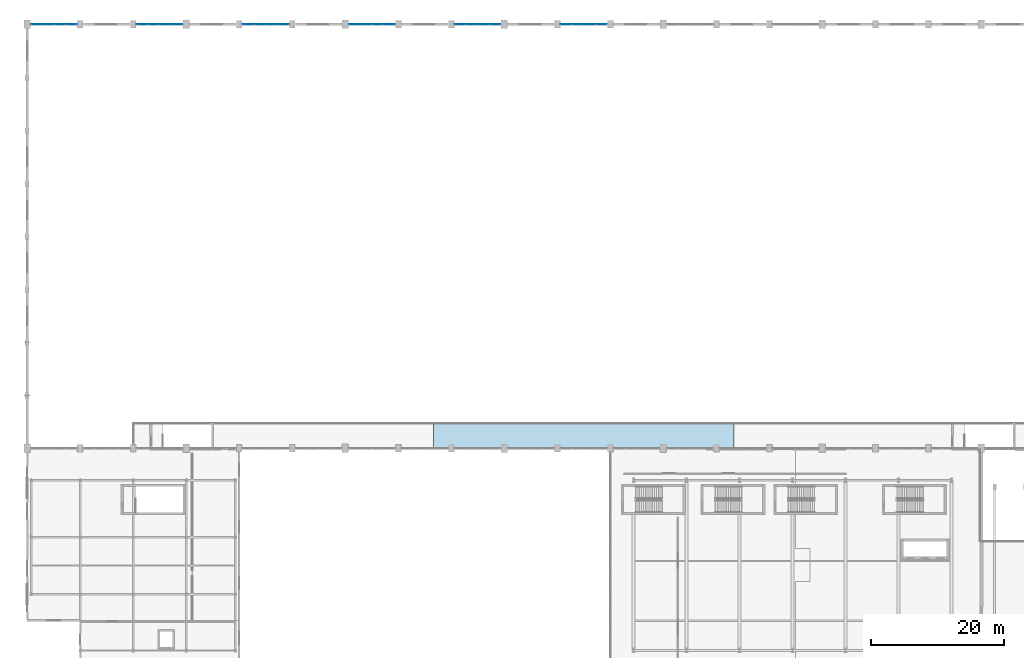
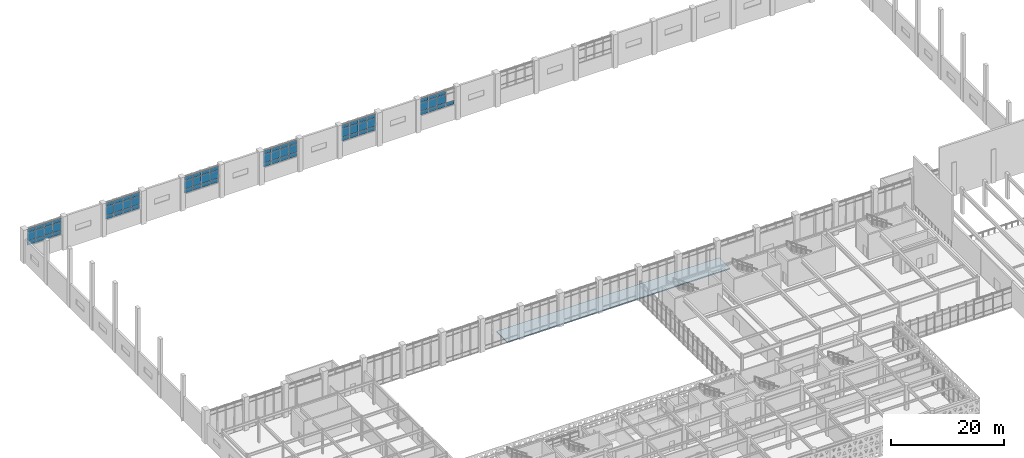
# One storey, part 55 of 84: 70 plates, 1 slab, 6 elements without a shape of their own.
"""IFC4 building model written with IfcOpenShell, lengths in metres."""

from ifc_helpers import new_model, si_unit, direction, frame, origin, origin_2d, place, context, subcontext, project, spatial, polyline, rectangle, outline, extrude, material, layer, layer_set, type_object, element, aggregate, save


model = new_model("IFC4")

# Units and contexts
model_context = context("Model", 3, precision=1e-05, world=origin(), true_north=direction((0.0, 1.0)))
body_context = subcontext(model_context, "Body", "Model", "MODEL_VIEW")
ifc_project = project(units=[si_unit("LENGTHUNIT", "METRE"), si_unit("AREAUNIT", "SQUARE_METRE"), si_unit("VOLUMEUNIT", "CUBIC_METRE"), si_unit("PLANEANGLEUNIT", "RADIAN"), si_unit("MASSUNIT", "GRAM", prefix="KILO")], contexts=[model_context])

# Site, building, storey
site_placement = place(None, origin())
site = spatial("IfcSite", under=ifc_project, at=site_placement, CompositionType="ELEMENT")
building_placement = place(site_placement, origin())
building = spatial("IfcBuilding", under=site, at=building_placement, Name="Tlacozan Convention Centre", CompositionType="ELEMENT")
storey_placement = place(building_placement, frame((0.0, 0.0, 6.0)))
storey = spatial("IfcBuildingStorey", under=building, at=storey_placement, Name="L01", CompositionType="ELEMENT", Elevation=6.0)

# Curtain wall, plates
ifc_material_1 = material(Name="Dark Bronze Anodised Aluminium", Category="aluminium")
ifc_layer_1 = layer(ifc_material_1, 0.199951171875)
ifc_layer_set_1 = layer_set([ifc_layer_1], Name="Dark Bronze Anodised Aluminium")
curtain_wall_type = type_object("IfcCurtainWallType", Name="Exhibition Clerestory Curtain Wall CW10", PredefinedType="NOTDEFINED", material=ifc_layer_set_1)
curtain_wall_1_placement = place(storey_placement, origin())
curtain_wall_1 = element("IfcCurtainWall", 1, at=curtain_wall_1_placement, inside=storey, type_object=curtain_wall_type, Name="L01 CW-10 Run 1", PredefinedType="NOTDEFINED")
ifc_material_2 = material(Name="Solar Control Double Low-E Argon Glazing", Category="glass")
ifc_layer_2 = layer(ifc_material_2, 0.050048828125)
ifc_layer_set_2 = layer_set([ifc_layer_2], Name="Solar Control Double Low-E Argon Glazing")
plate_type = type_object("IfcPlateType", Name="Clerestory Solar CW Panel 50", PredefinedType="CURTAIN_PANEL", material=ifc_layer_set_2)
plate_1_placement = place(storey_placement, frame((1.4111328125, 126.0, 3.27490234375), z_axis=(0.0, 0.0, 1.0), x_axis=(1.0, 0.0, 0.0)))
plate_1 = element("IfcPlate", 2, at=plate_1_placement, type_object=plate_type, Name="CW-10 panel 1.1", PredefinedType="CURTAIN_PANEL", context=body_context, shape_type="SweptSolid", body=[
    extrude(rectangle(XDim=1.642578125, YDim=0.050048828125, at=origin_2d()), origin(), (0.0, 0.0, 1.0), 0.78759765625),
])
plate_2_placement = place(storey_placement, frame((1.4111328125, 126.0, 4.137451171875), z_axis=(0.0, 0.0, 1.0), x_axis=(1.0, 0.0, 0.0)))
plate_2 = element("IfcPlate", 3, at=plate_2_placement, type_object=plate_type, Name="CW-10 panel 1.2", PredefinedType="CURTAIN_PANEL", context=body_context, shape_type="SweptSolid", body=[
    extrude(rectangle(XDim=1.642578125, YDim=0.050048828125, at=origin_2d()), origin(), (0.0, 0.0, 1.0), 1.77490234375),
])
plate_3_placement = place(storey_placement, frame((1.4111328125, 126.0, 5.9873046875), z_axis=(0.0, 0.0, 1.0), x_axis=(1.0, 0.0, 0.0)))
plate_3 = element("IfcPlate", 4, at=plate_3_placement, type_object=plate_type, Name="CW-10 panel 1.3", PredefinedType="CURTAIN_PANEL", context=body_context, shape_type="SweptSolid", body=[
    extrude(rectangle(XDim=1.642578125, YDim=0.050048828125, at=origin_2d()), origin(), (0.0, 0.0, 1.0), 0.737548828125),
])
plate_4_placement = place(storey_placement, frame((3.1474609375, 126.0, 3.27490234375), z_axis=(0.0, 0.0, 1.0), x_axis=(1.0, 0.0, 0.0)))
plate_4 = element("IfcPlate", 5, at=plate_4_placement, type_object=plate_type, Name="CW-10 panel 2.1", PredefinedType="CURTAIN_PANEL", context=body_context, shape_type="SweptSolid", body=[
    extrude(rectangle(XDim=1.679931640625, YDim=0.050048828125, at=origin_2d()), origin(), (0.0, 0.0, 1.0), 0.78759765625),
])
plate_5_placement = place(storey_placement, frame((3.1474609375, 126.0, 4.137451171875), z_axis=(0.0, 0.0, 1.0), x_axis=(1.0, 0.0, 0.0)))
plate_5 = element("IfcPlate", 6, at=plate_5_placement, type_object=plate_type, Name="CW-10 panel 2.2", PredefinedType="CURTAIN_PANEL", context=body_context, shape_type="SweptSolid", body=[
    extrude(rectangle(XDim=1.679931640625, YDim=0.050048828125, at=origin_2d()), origin(), (0.0, 0.0, 1.0), 1.77490234375),
])
plate_6_placement = place(storey_placement, frame((3.1474609375, 126.0, 5.9873046875), z_axis=(0.0, 0.0, 1.0), x_axis=(1.0, 0.0, 0.0)))
plate_6 = element("IfcPlate", 7, at=plate_6_placement, type_object=plate_type, Name="CW-10 panel 2.3", PredefinedType="CURTAIN_PANEL", context=body_context, shape_type="SweptSolid", body=[
    extrude(rectangle(XDim=1.679931640625, YDim=0.050048828125, at=origin_2d()), origin(), (0.0, 0.0, 1.0), 0.737548828125),
])
plate_7_placement = place(storey_placement, frame((4.902587890625, 126.0, 3.27490234375), z_axis=(0.0, 0.0, 1.0), x_axis=(1.0, 0.0, 0.0)))
plate_7 = element("IfcPlate", 8, at=plate_7_placement, type_object=plate_type, Name="CW-10 panel 3.1", PredefinedType="CURTAIN_PANEL", context=body_context, shape_type="SweptSolid", body=[
    extrude(rectangle(XDim=1.679931640625, YDim=0.050048828125, at=origin_2d()), origin(), (0.0, 0.0, 1.0), 0.78759765625),
])
plate_8_placement = place(storey_placement, frame((4.902587890625, 126.0, 4.137451171875), z_axis=(0.0, 0.0, 1.0), x_axis=(1.0, 0.0, 0.0)))
plate_8 = element("IfcPlate", 9, at=plate_8_placement, type_object=plate_type, Name="CW-10 panel 3.2", PredefinedType="CURTAIN_PANEL", context=body_context, shape_type="SweptSolid", body=[
    extrude(rectangle(XDim=1.679931640625, YDim=0.050048828125, at=origin_2d()), origin(), (0.0, 0.0, 1.0), 1.77490234375),
])
plate_9_placement = place(storey_placement, frame((4.902587890625, 126.0, 5.9873046875), z_axis=(0.0, 0.0, 1.0), x_axis=(1.0, 0.0, 0.0)))
plate_9 = element("IfcPlate", 10, at=plate_9_placement, type_object=plate_type, Name="CW-10 panel 3.3", PredefinedType="CURTAIN_PANEL", context=body_context, shape_type="SweptSolid", body=[
    extrude(rectangle(XDim=1.679931640625, YDim=0.050048828125, at=origin_2d()), origin(), (0.0, 0.0, 1.0), 0.737548828125),
])
plate_10_placement = place(storey_placement, frame((6.638671875, 126.0, 3.27490234375), z_axis=(0.0, 0.0, 1.0), x_axis=(1.0, 0.0, 0.0)))
plate_10 = element("IfcPlate", 11, at=plate_10_placement, type_object=plate_type, Name="CW-10 panel 4.1", PredefinedType="CURTAIN_PANEL", context=body_context, shape_type="SweptSolid", body=[
    extrude(rectangle(XDim=1.642578125, YDim=0.050048828125, at=origin_2d()), origin(), (0.0, 0.0, 1.0), 0.78759765625),
])
plate_11_placement = place(storey_placement, frame((6.638671875, 126.0, 4.137451171875), z_axis=(0.0, 0.0, 1.0), x_axis=(1.0, 0.0, 0.0)))
plate_11 = element("IfcPlate", 12, at=plate_11_placement, type_object=plate_type, Name="CW-10 panel 4.2", PredefinedType="CURTAIN_PANEL", context=body_context, shape_type="SweptSolid", body=[
    extrude(rectangle(XDim=1.642578125, YDim=0.050048828125, at=origin_2d()), origin(), (0.0, 0.0, 1.0), 1.77490234375),
])
plate_12_placement = place(storey_placement, frame((6.638671875, 126.0, 5.9873046875), z_axis=(0.0, 0.0, 1.0), x_axis=(1.0, 0.0, 0.0)))
plate_12 = element("IfcPlate", 13, at=plate_12_placement, type_object=plate_type, Name="CW-10 panel 4.3", PredefinedType="CURTAIN_PANEL", context=body_context, shape_type="SweptSolid", body=[
    extrude(rectangle(XDim=1.642578125, YDim=0.050048828125, at=origin_2d()), origin(), (0.0, 0.0, 1.0), 0.737548828125),
])
aggregate(curtain_wall_1, [plate_1, plate_2, plate_3, plate_4, plate_5, plate_6, plate_7, plate_8, plate_9, plate_10, plate_11, plate_12])

curtain_wall_2_placement = place(storey_placement, origin())
curtain_wall_2 = element("IfcCurtainWall", 14, at=curtain_wall_2_placement, inside=storey, type_object=curtain_wall_type, Name="L01 CW-10 Run 2", PredefinedType="NOTDEFINED")
plate_13_placement = place(storey_placement, frame((17.361328125, 126.0, 3.27490234375), z_axis=(0.0, 0.0, 1.0), x_axis=(1.0, 0.0, 0.0)))
plate_13 = element("IfcPlate", 15, at=plate_13_placement, type_object=plate_type, Name="CW-10 panel 1.1", PredefinedType="CURTAIN_PANEL", context=body_context, shape_type="SweptSolid", body=[
    extrude(rectangle(XDim=1.642578125, YDim=0.050048828125, at=origin_2d()), origin(), (0.0, 0.0, 1.0), 0.78759765625),
])
plate_14_placement = place(storey_placement, frame((17.361328125, 126.0, 4.137451171875), z_axis=(0.0, 0.0, 1.0), x_axis=(1.0, 0.0, 0.0)))
plate_14 = element("IfcPlate", 16, at=plate_14_placement, type_object=plate_type, Name="CW-10 panel 1.2", PredefinedType="CURTAIN_PANEL", context=body_context, shape_type="SweptSolid", body=[
    extrude(rectangle(XDim=1.642578125, YDim=0.050048828125, at=origin_2d()), origin(), (0.0, 0.0, 1.0), 1.77490234375),
])
plate_15_placement = place(storey_placement, frame((17.361328125, 126.0, 5.9873046875), z_axis=(0.0, 0.0, 1.0), x_axis=(1.0, 0.0, 0.0)))
plate_15 = element("IfcPlate", 17, at=plate_15_placement, type_object=plate_type, Name="CW-10 panel 1.3", PredefinedType="CURTAIN_PANEL", context=body_context, shape_type="SweptSolid", body=[
    extrude(rectangle(XDim=1.642578125, YDim=0.050048828125, at=origin_2d()), origin(), (0.0, 0.0, 1.0), 0.737548828125),
])
plate_16_placement = place(storey_placement, frame((19.097412109375, 126.0, 3.27490234375), z_axis=(0.0, 0.0, 1.0), x_axis=(1.0, 0.0, 0.0)))
plate_16 = element("IfcPlate", 18, at=plate_16_placement, type_object=plate_type, Name="CW-10 panel 2.1", PredefinedType="CURTAIN_PANEL", context=body_context, shape_type="SweptSolid", body=[
    extrude(rectangle(XDim=1.679931640625, YDim=0.050048828125, at=origin_2d()), origin(), (0.0, 0.0, 1.0), 0.78759765625),
])
plate_17_placement = place(storey_placement, frame((19.097412109375, 126.0, 4.137451171875), z_axis=(0.0, 0.0, 1.0), x_axis=(1.0, 0.0, 0.0)))
plate_17 = element("IfcPlate", 19, at=plate_17_placement, type_object=plate_type, Name="CW-10 panel 2.2", PredefinedType="CURTAIN_PANEL", context=body_context, shape_type="SweptSolid", body=[
    extrude(rectangle(XDim=1.679931640625, YDim=0.050048828125, at=origin_2d()), origin(), (0.0, 0.0, 1.0), 1.77490234375),
])
plate_18_placement = place(storey_placement, frame((19.097412109375, 126.0, 5.9873046875), z_axis=(0.0, 0.0, 1.0), x_axis=(1.0, 0.0, 0.0)))
plate_18 = element("IfcPlate", 20, at=plate_18_placement, type_object=plate_type, Name="CW-10 panel 2.3", PredefinedType="CURTAIN_PANEL", context=body_context, shape_type="SweptSolid", body=[
    extrude(rectangle(XDim=1.679931640625, YDim=0.050048828125, at=origin_2d()), origin(), (0.0, 0.0, 1.0), 0.737548828125),
])
plate_19_placement = place(storey_placement, frame((20.8525390625, 126.0, 3.27490234375), z_axis=(0.0, 0.0, 1.0), x_axis=(1.0, 0.0, 0.0)))
plate_19 = element("IfcPlate", 21, at=plate_19_placement, type_object=plate_type, Name="CW-10 panel 3.1", PredefinedType="CURTAIN_PANEL", context=body_context, shape_type="SweptSolid", body=[
    extrude(rectangle(XDim=1.679931640625, YDim=0.050048828125, at=origin_2d()), origin(), (0.0, 0.0, 1.0), 0.78759765625),
])
plate_20_placement = place(storey_placement, frame((20.8525390625, 126.0, 4.137451171875), z_axis=(0.0, 0.0, 1.0), x_axis=(1.0, 0.0, 0.0)))
plate_20 = element("IfcPlate", 22, at=plate_20_placement, type_object=plate_type, Name="CW-10 panel 3.2", PredefinedType="CURTAIN_PANEL", context=body_context, shape_type="SweptSolid", body=[
    extrude(rectangle(XDim=1.679931640625, YDim=0.050048828125, at=origin_2d()), origin(), (0.0, 0.0, 1.0), 1.77490234375),
])
plate_21_placement = place(storey_placement, frame((20.8525390625, 126.0, 5.9873046875), z_axis=(0.0, 0.0, 1.0), x_axis=(1.0, 0.0, 0.0)))
plate_21 = element("IfcPlate", 23, at=plate_21_placement, type_object=plate_type, Name="CW-10 panel 3.3", PredefinedType="CURTAIN_PANEL", context=body_context, shape_type="SweptSolid", body=[
    extrude(rectangle(XDim=1.679931640625, YDim=0.050048828125, at=origin_2d()), origin(), (0.0, 0.0, 1.0), 0.737548828125),
])
plate_22_placement = place(storey_placement, frame((22.5888671875, 126.0, 3.27490234375), z_axis=(0.0, 0.0, 1.0), x_axis=(1.0, 0.0, 0.0)))
plate_22 = element("IfcPlate", 24, at=plate_22_placement, type_object=plate_type, Name="CW-10 panel 4.1", PredefinedType="CURTAIN_PANEL", context=body_context, shape_type="SweptSolid", body=[
    extrude(rectangle(XDim=1.642578125, YDim=0.050048828125, at=origin_2d()), origin(), (0.0, 0.0, 1.0), 0.78759765625),
])
plate_23_placement = place(storey_placement, frame((22.5888671875, 126.0, 4.137451171875), z_axis=(0.0, 0.0, 1.0), x_axis=(1.0, 0.0, 0.0)))
plate_23 = element("IfcPlate", 25, at=plate_23_placement, type_object=plate_type, Name="CW-10 panel 4.2", PredefinedType="CURTAIN_PANEL", context=body_context, shape_type="SweptSolid", body=[
    extrude(rectangle(XDim=1.642578125, YDim=0.050048828125, at=origin_2d()), origin(), (0.0, 0.0, 1.0), 1.77490234375),
])
plate_24_placement = place(storey_placement, frame((22.5888671875, 126.0, 5.9873046875), z_axis=(0.0, 0.0, 1.0), x_axis=(1.0, 0.0, 0.0)))
plate_24 = element("IfcPlate", 26, at=plate_24_placement, type_object=plate_type, Name="CW-10 panel 4.3", PredefinedType="CURTAIN_PANEL", context=body_context, shape_type="SweptSolid", body=[
    extrude(rectangle(XDim=1.642578125, YDim=0.050048828125, at=origin_2d()), origin(), (0.0, 0.0, 1.0), 0.737548828125),
])
aggregate(curtain_wall_2, [plate_13, plate_14, plate_15, plate_16, plate_17, plate_18, plate_19, plate_20, plate_21, plate_22, plate_23, plate_24])

curtain_wall_3_placement = place(storey_placement, origin())
curtain_wall_3 = element("IfcCurtainWall", 27, at=curtain_wall_3_placement, inside=storey, type_object=curtain_wall_type, Name="L01 CW-10 Run 3", PredefinedType="NOTDEFINED")
plate_25_placement = place(storey_placement, frame((33.367431640625, 126.0, 3.27490234375), z_axis=(0.0, 0.0, 1.0), x_axis=(1.0, 0.0, 0.0)))
plate_25 = element("IfcPlate", 28, at=plate_25_placement, type_object=plate_type, Name="CW-10 panel 1.1", PredefinedType="CURTAIN_PANEL", context=body_context, shape_type="SweptSolid", body=[
    extrude(rectangle(XDim=1.655029296875, YDim=0.050048828125, at=origin_2d()), origin(), (0.0, 0.0, 1.0), 0.78759765625),
])
plate_26_placement = place(storey_placement, frame((33.367431640625, 126.0, 4.137451171875), z_axis=(0.0, 0.0, 1.0), x_axis=(1.0, 0.0, 0.0)))
plate_26 = element("IfcPlate", 29, at=plate_26_placement, type_object=plate_type, Name="CW-10 panel 1.2", PredefinedType="CURTAIN_PANEL", context=body_context, shape_type="SweptSolid", body=[
    extrude(rectangle(XDim=1.655029296875, YDim=0.050048828125, at=origin_2d()), origin(), (0.0, 0.0, 1.0), 1.77490234375),
])
plate_27_placement = place(storey_placement, frame((33.367431640625, 126.0, 5.9873046875), z_axis=(0.0, 0.0, 1.0), x_axis=(1.0, 0.0, 0.0)))
plate_27 = element("IfcPlate", 30, at=plate_27_placement, type_object=plate_type, Name="CW-10 panel 1.3", PredefinedType="CURTAIN_PANEL", context=body_context, shape_type="SweptSolid", body=[
    extrude(rectangle(XDim=1.655029296875, YDim=0.050048828125, at=origin_2d()), origin(), (0.0, 0.0, 1.0), 0.737548828125),
])
plate_28_placement = place(storey_placement, frame((35.1162109375, 126.0, 3.27490234375), z_axis=(0.0, 0.0, 1.0), x_axis=(1.0, 0.0, 0.0)))
plate_28 = element("IfcPlate", 31, at=plate_28_placement, type_object=plate_type, Name="CW-10 panel 2.1", PredefinedType="CURTAIN_PANEL", context=body_context, shape_type="SweptSolid", body=[
    extrude(rectangle(XDim=1.6923828125, YDim=0.050048828125, at=origin_2d()), origin(), (0.0, 0.0, 1.0), 0.78759765625),
])
plate_29_placement = place(storey_placement, frame((35.1162109375, 126.0, 4.137451171875), z_axis=(0.0, 0.0, 1.0), x_axis=(1.0, 0.0, 0.0)))
plate_29 = element("IfcPlate", 32, at=plate_29_placement, type_object=plate_type, Name="CW-10 panel 2.2", PredefinedType="CURTAIN_PANEL", context=body_context, shape_type="SweptSolid", body=[
    extrude(rectangle(XDim=1.6923828125, YDim=0.050048828125, at=origin_2d()), origin(), (0.0, 0.0, 1.0), 1.77490234375),
])
plate_30_placement = place(storey_placement, frame((35.1162109375, 126.0, 5.9873046875), z_axis=(0.0, 0.0, 1.0), x_axis=(1.0, 0.0, 0.0)))
plate_30 = element("IfcPlate", 33, at=plate_30_placement, type_object=plate_type, Name="CW-10 panel 2.3", PredefinedType="CURTAIN_PANEL", context=body_context, shape_type="SweptSolid", body=[
    extrude(rectangle(XDim=1.6923828125, YDim=0.050048828125, at=origin_2d()), origin(), (0.0, 0.0, 1.0), 0.737548828125),
])
plate_31_placement = place(storey_placement, frame((36.8837890625, 126.0, 3.27490234375), z_axis=(0.0, 0.0, 1.0), x_axis=(1.0, 0.0, 0.0)))
plate_31 = element("IfcPlate", 34, at=plate_31_placement, type_object=plate_type, Name="CW-10 panel 3.1", PredefinedType="CURTAIN_PANEL", context=body_context, shape_type="SweptSolid", body=[
    extrude(rectangle(XDim=1.6923828125, YDim=0.050048828125, at=origin_2d()), origin(), (0.0, 0.0, 1.0), 0.78759765625),
])
plate_32_placement = place(storey_placement, frame((36.8837890625, 126.0, 4.137451171875), z_axis=(0.0, 0.0, 1.0), x_axis=(1.0, 0.0, 0.0)))
plate_32 = element("IfcPlate", 35, at=plate_32_placement, type_object=plate_type, Name="CW-10 panel 3.2", PredefinedType="CURTAIN_PANEL", context=body_context, shape_type="SweptSolid", body=[
    extrude(rectangle(XDim=1.6923828125, YDim=0.050048828125, at=origin_2d()), origin(), (0.0, 0.0, 1.0), 1.77490234375),
])
plate_33_placement = place(storey_placement, frame((36.8837890625, 126.0, 5.9873046875), z_axis=(0.0, 0.0, 1.0), x_axis=(1.0, 0.0, 0.0)))
plate_33 = element("IfcPlate", 36, at=plate_33_placement, type_object=plate_type, Name="CW-10 panel 3.3", PredefinedType="CURTAIN_PANEL", context=body_context, shape_type="SweptSolid", body=[
    extrude(rectangle(XDim=1.6923828125, YDim=0.050048828125, at=origin_2d()), origin(), (0.0, 0.0, 1.0), 0.737548828125),
])
plate_34_placement = place(storey_placement, frame((38.632568359375, 126.0, 3.27490234375), z_axis=(0.0, 0.0, 1.0), x_axis=(1.0, 0.0, 0.0)))
plate_34 = element("IfcPlate", 37, at=plate_34_placement, type_object=plate_type, Name="CW-10 panel 4.1", PredefinedType="CURTAIN_PANEL", context=body_context, shape_type="SweptSolid", body=[
    extrude(rectangle(XDim=1.655029296875, YDim=0.050048828125, at=origin_2d()), origin(), (0.0, 0.0, 1.0), 0.78759765625),
])
plate_35_placement = place(storey_placement, frame((38.632568359375, 126.0, 4.137451171875), z_axis=(0.0, 0.0, 1.0), x_axis=(1.0, 0.0, 0.0)))
plate_35 = element("IfcPlate", 38, at=plate_35_placement, type_object=plate_type, Name="CW-10 panel 4.2", PredefinedType="CURTAIN_PANEL", context=body_context, shape_type="SweptSolid", body=[
    extrude(rectangle(XDim=1.655029296875, YDim=0.050048828125, at=origin_2d()), origin(), (0.0, 0.0, 1.0), 1.77490234375),
])
plate_36_placement = place(storey_placement, frame((38.632568359375, 126.0, 5.9873046875), z_axis=(0.0, 0.0, 1.0), x_axis=(1.0, 0.0, 0.0)))
plate_36 = element("IfcPlate", 39, at=plate_36_placement, type_object=plate_type, Name="CW-10 panel 4.3", PredefinedType="CURTAIN_PANEL", context=body_context, shape_type="SweptSolid", body=[
    extrude(rectangle(XDim=1.655029296875, YDim=0.050048828125, at=origin_2d()), origin(), (0.0, 0.0, 1.0), 0.737548828125),
])
aggregate(curtain_wall_3, [plate_25, plate_26, plate_27, plate_28, plate_29, plate_30, plate_31, plate_32, plate_33, plate_34, plate_35, plate_36])

curtain_wall_4_placement = place(storey_placement, origin())
curtain_wall_4 = element("IfcCurtainWall", 40, at=curtain_wall_4_placement, inside=storey, type_object=curtain_wall_type, Name="L01 CW-10 Run 4", PredefinedType="NOTDEFINED")
plate_37_placement = place(storey_placement, frame((49.4111328125, 126.0, 3.27490234375), z_axis=(0.0, 0.0, 1.0), x_axis=(1.0, 0.0, 0.0)))
plate_37 = element("IfcPlate", 41, at=plate_37_placement, type_object=plate_type, Name="CW-10 panel 1.1", PredefinedType="CURTAIN_PANEL", context=body_context, shape_type="SweptSolid", body=[
    extrude(rectangle(XDim=1.642578125, YDim=0.050048828125, at=origin_2d()), origin(), (0.0, 0.0, 1.0), 0.78759765625),
])
plate_38_placement = place(storey_placement, frame((49.4111328125, 126.0, 4.137451171875), z_axis=(0.0, 0.0, 1.0), x_axis=(1.0, 0.0, 0.0)))
plate_38 = element("IfcPlate", 42, at=plate_38_placement, type_object=plate_type, Name="CW-10 panel 1.2", PredefinedType="CURTAIN_PANEL", context=body_context, shape_type="SweptSolid", body=[
    extrude(rectangle(XDim=1.642578125, YDim=0.050048828125, at=origin_2d()), origin(), (0.0, 0.0, 1.0), 1.77490234375),
])
plate_39_placement = place(storey_placement, frame((49.4111328125, 126.0, 5.9873046875), z_axis=(0.0, 0.0, 1.0), x_axis=(1.0, 0.0, 0.0)))
plate_39 = element("IfcPlate", 43, at=plate_39_placement, type_object=plate_type, Name="CW-10 panel 1.3", PredefinedType="CURTAIN_PANEL", context=body_context, shape_type="SweptSolid", body=[
    extrude(rectangle(XDim=1.642578125, YDim=0.050048828125, at=origin_2d()), origin(), (0.0, 0.0, 1.0), 0.737548828125),
])
plate_40_placement = place(storey_placement, frame((51.1474609375, 126.0, 3.27490234375), z_axis=(0.0, 0.0, 1.0), x_axis=(1.0, 0.0, 0.0)))
plate_40 = element("IfcPlate", 44, at=plate_40_placement, type_object=plate_type, Name="CW-10 panel 2.1", PredefinedType="CURTAIN_PANEL", context=body_context, shape_type="SweptSolid", body=[
    extrude(rectangle(XDim=1.679931640625, YDim=0.050048828125, at=origin_2d()), origin(), (0.0, 0.0, 1.0), 0.78759765625),
])
plate_41_placement = place(storey_placement, frame((51.1474609375, 126.0, 4.137451171875), z_axis=(0.0, 0.0, 1.0), x_axis=(1.0, 0.0, 0.0)))
plate_41 = element("IfcPlate", 45, at=plate_41_placement, type_object=plate_type, Name="CW-10 panel 2.2", PredefinedType="CURTAIN_PANEL", context=body_context, shape_type="SweptSolid", body=[
    extrude(rectangle(XDim=1.679931640625, YDim=0.050048828125, at=origin_2d()), origin(), (0.0, 0.0, 1.0), 1.77490234375),
])
plate_42_placement = place(storey_placement, frame((51.1474609375, 126.0, 5.9873046875), z_axis=(0.0, 0.0, 1.0), x_axis=(1.0, 0.0, 0.0)))
plate_42 = element("IfcPlate", 46, at=plate_42_placement, type_object=plate_type, Name="CW-10 panel 2.3", PredefinedType="CURTAIN_PANEL", context=body_context, shape_type="SweptSolid", body=[
    extrude(rectangle(XDim=1.679931640625, YDim=0.050048828125, at=origin_2d()), origin(), (0.0, 0.0, 1.0), 0.737548828125),
])
plate_43_placement = place(storey_placement, frame((52.902587890625, 126.0, 3.27490234375), z_axis=(0.0, 0.0, 1.0), x_axis=(1.0, 0.0, 0.0)))
plate_43 = element("IfcPlate", 47, at=plate_43_placement, type_object=plate_type, Name="CW-10 panel 3.1", PredefinedType="CURTAIN_PANEL", context=body_context, shape_type="SweptSolid", body=[
    extrude(rectangle(XDim=1.679931640625, YDim=0.050048828125, at=origin_2d()), origin(), (0.0, 0.0, 1.0), 0.78759765625),
])
plate_44_placement = place(storey_placement, frame((52.902587890625, 126.0, 4.137451171875), z_axis=(0.0, 0.0, 1.0), x_axis=(1.0, 0.0, 0.0)))
plate_44 = element("IfcPlate", 48, at=plate_44_placement, type_object=plate_type, Name="CW-10 panel 3.2", PredefinedType="CURTAIN_PANEL", context=body_context, shape_type="SweptSolid", body=[
    extrude(rectangle(XDim=1.679931640625, YDim=0.050048828125, at=origin_2d()), origin(), (0.0, 0.0, 1.0), 1.77490234375),
])
plate_45_placement = place(storey_placement, frame((52.902587890625, 126.0, 5.9873046875), z_axis=(0.0, 0.0, 1.0), x_axis=(1.0, 0.0, 0.0)))
plate_45 = element("IfcPlate", 49, at=plate_45_placement, type_object=plate_type, Name="CW-10 panel 3.3", PredefinedType="CURTAIN_PANEL", context=body_context, shape_type="SweptSolid", body=[
    extrude(rectangle(XDim=1.679931640625, YDim=0.050048828125, at=origin_2d()), origin(), (0.0, 0.0, 1.0), 0.737548828125),
])
plate_46_placement = place(storey_placement, frame((54.638671875, 126.0, 3.27490234375), z_axis=(0.0, 0.0, 1.0), x_axis=(1.0, 0.0, 0.0)))
plate_46 = element("IfcPlate", 50, at=plate_46_placement, type_object=plate_type, Name="CW-10 panel 4.1", PredefinedType="CURTAIN_PANEL", context=body_context, shape_type="SweptSolid", body=[
    extrude(rectangle(XDim=1.642578125, YDim=0.050048828125, at=origin_2d()), origin(), (0.0, 0.0, 1.0), 0.78759765625),
])
plate_47_placement = place(storey_placement, frame((54.638671875, 126.0, 4.137451171875), z_axis=(0.0, 0.0, 1.0), x_axis=(1.0, 0.0, 0.0)))
plate_47 = element("IfcPlate", 51, at=plate_47_placement, type_object=plate_type, Name="CW-10 panel 4.2", PredefinedType="CURTAIN_PANEL", context=body_context, shape_type="SweptSolid", body=[
    extrude(rectangle(XDim=1.642578125, YDim=0.050048828125, at=origin_2d()), origin(), (0.0, 0.0, 1.0), 1.77490234375),
])
plate_48_placement = place(storey_placement, frame((54.638671875, 126.0, 5.9873046875), z_axis=(0.0, 0.0, 1.0), x_axis=(1.0, 0.0, 0.0)))
plate_48 = element("IfcPlate", 52, at=plate_48_placement, type_object=plate_type, Name="CW-10 panel 4.3", PredefinedType="CURTAIN_PANEL", context=body_context, shape_type="SweptSolid", body=[
    extrude(rectangle(XDim=1.642578125, YDim=0.050048828125, at=origin_2d()), origin(), (0.0, 0.0, 1.0), 0.737548828125),
])
aggregate(curtain_wall_4, [plate_37, plate_38, plate_39, plate_40, plate_41, plate_42, plate_43, plate_44, plate_45, plate_46, plate_47, plate_48])

curtain_wall_5_placement = place(storey_placement, origin())
curtain_wall_5 = element("IfcCurtainWall", 53, at=curtain_wall_5_placement, inside=storey, type_object=curtain_wall_type, Name="L01 CW-10 Run 5", PredefinedType="NOTDEFINED")
plate_49_placement = place(storey_placement, frame((65.361328125, 126.0, 3.27490234375), z_axis=(0.0, 0.0, 1.0), x_axis=(1.0, 0.0, 0.0)))
plate_49 = element("IfcPlate", 54, at=plate_49_placement, type_object=plate_type, Name="CW-10 panel 1.1", PredefinedType="CURTAIN_PANEL", context=body_context, shape_type="SweptSolid", body=[
    extrude(rectangle(XDim=1.642578125, YDim=0.050048828125, at=origin_2d()), origin(), (0.0, 0.0, 1.0), 0.78759765625),
])
plate_50_placement = place(storey_placement, frame((65.361328125, 126.0, 4.137451171875), z_axis=(0.0, 0.0, 1.0), x_axis=(1.0, 0.0, 0.0)))
plate_50 = element("IfcPlate", 55, at=plate_50_placement, type_object=plate_type, Name="CW-10 panel 1.2", PredefinedType="CURTAIN_PANEL", context=body_context, shape_type="SweptSolid", body=[
    extrude(rectangle(XDim=1.642578125, YDim=0.050048828125, at=origin_2d()), origin(), (0.0, 0.0, 1.0), 1.77490234375),
])
plate_51_placement = place(storey_placement, frame((65.361328125, 126.0, 5.9873046875), z_axis=(0.0, 0.0, 1.0), x_axis=(1.0, 0.0, 0.0)))
plate_51 = element("IfcPlate", 56, at=plate_51_placement, type_object=plate_type, Name="CW-10 panel 1.3", PredefinedType="CURTAIN_PANEL", context=body_context, shape_type="SweptSolid", body=[
    extrude(rectangle(XDim=1.642578125, YDim=0.050048828125, at=origin_2d()), origin(), (0.0, 0.0, 1.0), 0.737548828125),
])
plate_52_placement = place(storey_placement, frame((67.097412109375, 126.0, 3.27490234375), z_axis=(0.0, 0.0, 1.0), x_axis=(1.0, 0.0, 0.0)))
plate_52 = element("IfcPlate", 57, at=plate_52_placement, type_object=plate_type, Name="CW-10 panel 2.1", PredefinedType="CURTAIN_PANEL", context=body_context, shape_type="SweptSolid", body=[
    extrude(rectangle(XDim=1.679931640625, YDim=0.050048828125, at=origin_2d()), origin(), (0.0, 0.0, 1.0), 0.78759765625),
])
plate_53_placement = place(storey_placement, frame((67.097412109375, 126.0, 4.137451171875), z_axis=(0.0, 0.0, 1.0), x_axis=(1.0, 0.0, 0.0)))
plate_53 = element("IfcPlate", 58, at=plate_53_placement, type_object=plate_type, Name="CW-10 panel 2.2", PredefinedType="CURTAIN_PANEL", context=body_context, shape_type="SweptSolid", body=[
    extrude(rectangle(XDim=1.679931640625, YDim=0.050048828125, at=origin_2d()), origin(), (0.0, 0.0, 1.0), 1.77490234375),
])
plate_54_placement = place(storey_placement, frame((67.097412109375, 126.0, 5.9873046875), z_axis=(0.0, 0.0, 1.0), x_axis=(1.0, 0.0, 0.0)))
plate_54 = element("IfcPlate", 59, at=plate_54_placement, type_object=plate_type, Name="CW-10 panel 2.3", PredefinedType="CURTAIN_PANEL", context=body_context, shape_type="SweptSolid", body=[
    extrude(rectangle(XDim=1.679931640625, YDim=0.050048828125, at=origin_2d()), origin(), (0.0, 0.0, 1.0), 0.737548828125),
])
plate_55_placement = place(storey_placement, frame((68.8525390625, 126.0, 3.27490234375), z_axis=(0.0, 0.0, 1.0), x_axis=(1.0, 0.0, 0.0)))
plate_55 = element("IfcPlate", 60, at=plate_55_placement, type_object=plate_type, Name="CW-10 panel 3.1", PredefinedType="CURTAIN_PANEL", context=body_context, shape_type="SweptSolid", body=[
    extrude(rectangle(XDim=1.679931640625, YDim=0.050048828125, at=origin_2d()), origin(), (0.0, 0.0, 1.0), 0.78759765625),
])
plate_56_placement = place(storey_placement, frame((68.8525390625, 126.0, 4.137451171875), z_axis=(0.0, 0.0, 1.0), x_axis=(1.0, 0.0, 0.0)))
plate_56 = element("IfcPlate", 61, at=plate_56_placement, type_object=plate_type, Name="CW-10 panel 3.2", PredefinedType="CURTAIN_PANEL", context=body_context, shape_type="SweptSolid", body=[
    extrude(rectangle(XDim=1.679931640625, YDim=0.050048828125, at=origin_2d()), origin(), (0.0, 0.0, 1.0), 1.77490234375),
])
plate_57_placement = place(storey_placement, frame((68.8525390625, 126.0, 5.9873046875), z_axis=(0.0, 0.0, 1.0), x_axis=(1.0, 0.0, 0.0)))
plate_57 = element("IfcPlate", 62, at=plate_57_placement, type_object=plate_type, Name="CW-10 panel 3.3", PredefinedType="CURTAIN_PANEL", context=body_context, shape_type="SweptSolid", body=[
    extrude(rectangle(XDim=1.679931640625, YDim=0.050048828125, at=origin_2d()), origin(), (0.0, 0.0, 1.0), 0.737548828125),
])
plate_58_placement = place(storey_placement, frame((70.5888671875, 126.0, 3.27490234375), z_axis=(0.0, 0.0, 1.0), x_axis=(1.0, 0.0, 0.0)))
plate_58 = element("IfcPlate", 63, at=plate_58_placement, type_object=plate_type, Name="CW-10 panel 4.1", PredefinedType="CURTAIN_PANEL", context=body_context, shape_type="SweptSolid", body=[
    extrude(rectangle(XDim=1.642578125, YDim=0.050048828125, at=origin_2d()), origin(), (0.0, 0.0, 1.0), 0.78759765625),
])
plate_59_placement = place(storey_placement, frame((70.5888671875, 126.0, 4.137451171875), z_axis=(0.0, 0.0, 1.0), x_axis=(1.0, 0.0, 0.0)))
plate_59 = element("IfcPlate", 64, at=plate_59_placement, type_object=plate_type, Name="CW-10 panel 4.2", PredefinedType="CURTAIN_PANEL", context=body_context, shape_type="SweptSolid", body=[
    extrude(rectangle(XDim=1.642578125, YDim=0.050048828125, at=origin_2d()), origin(), (0.0, 0.0, 1.0), 1.77490234375),
])
plate_60_placement = place(storey_placement, frame((70.5888671875, 126.0, 5.9873046875), z_axis=(0.0, 0.0, 1.0), x_axis=(1.0, 0.0, 0.0)))
plate_60 = element("IfcPlate", 65, at=plate_60_placement, type_object=plate_type, Name="CW-10 panel 4.3", PredefinedType="CURTAIN_PANEL", context=body_context, shape_type="SweptSolid", body=[
    extrude(rectangle(XDim=1.642578125, YDim=0.050048828125, at=origin_2d()), origin(), (0.0, 0.0, 1.0), 0.737548828125),
])
aggregate(curtain_wall_5, [plate_49, plate_50, plate_51, plate_52, plate_53, plate_54, plate_55, plate_56, plate_57, plate_58, plate_59, plate_60])

curtain_wall_6_placement = place(storey_placement, origin())
curtain_wall_6 = element("IfcCurtainWall", 66, at=curtain_wall_6_placement, inside=storey, type_object=curtain_wall_type, Name="L01 CW-10 Run 6", PredefinedType="NOTDEFINED")
plate_61_placement = place(storey_placement, frame((81.367431640625, 126.0, 3.27490234375), z_axis=(0.0, 0.0, 1.0), x_axis=(1.0, 0.0, 0.0)))
plate_61 = element("IfcPlate", 67, at=plate_61_placement, type_object=plate_type, Name="CW-10 panel 1.1", PredefinedType="CURTAIN_PANEL", context=body_context, shape_type="SweptSolid", body=[
    extrude(rectangle(XDim=1.655029296875, YDim=0.050048828125, at=origin_2d()), origin(), (0.0, 0.0, 1.0), 0.78759765625),
])
plate_62_placement = place(storey_placement, frame((81.367431640625, 126.0, 4.137451171875), z_axis=(0.0, 0.0, 1.0), x_axis=(1.0, 0.0, 0.0)))
plate_62 = element("IfcPlate", 68, at=plate_62_placement, type_object=plate_type, Name="CW-10 panel 1.2", PredefinedType="CURTAIN_PANEL", context=body_context, shape_type="SweptSolid", body=[
    extrude(rectangle(XDim=1.655029296875, YDim=0.050048828125, at=origin_2d()), origin(), (0.0, 0.0, 1.0), 1.77490234375),
])
plate_63_placement = place(storey_placement, frame((81.367431640625, 126.0, 5.9873046875), z_axis=(0.0, 0.0, 1.0), x_axis=(1.0, 0.0, 0.0)))
plate_63 = element("IfcPlate", 69, at=plate_63_placement, type_object=plate_type, Name="CW-10 panel 1.3", PredefinedType="CURTAIN_PANEL", context=body_context, shape_type="SweptSolid", body=[
    extrude(rectangle(XDim=1.655029296875, YDim=0.050048828125, at=origin_2d()), origin(), (0.0, 0.0, 1.0), 0.737548828125),
])
plate_64_placement = place(storey_placement, frame((83.1162109375, 126.0, 3.27490234375), z_axis=(0.0, 0.0, 1.0), x_axis=(1.0, 0.0, 0.0)))
plate_64 = element("IfcPlate", 70, at=plate_64_placement, type_object=plate_type, Name="CW-10 panel 2.1", PredefinedType="CURTAIN_PANEL", context=body_context, shape_type="SweptSolid", body=[
    extrude(rectangle(XDim=1.6923828125, YDim=0.050048828125, at=origin_2d()), origin(), (0.0, 0.0, 1.0), 0.78759765625),
])
plate_65_placement = place(storey_placement, frame((83.1162109375, 126.0, 4.137451171875), z_axis=(0.0, 0.0, 1.0), x_axis=(1.0, 0.0, 0.0)))
plate_65 = element("IfcPlate", 71, at=plate_65_placement, type_object=plate_type, Name="CW-10 panel 2.2", PredefinedType="CURTAIN_PANEL", context=body_context, shape_type="SweptSolid", body=[
    extrude(rectangle(XDim=1.6923828125, YDim=0.050048828125, at=origin_2d()), origin(), (0.0, 0.0, 1.0), 1.77490234375),
])
plate_66_placement = place(storey_placement, frame((83.1162109375, 126.0, 5.9873046875), z_axis=(0.0, 0.0, 1.0), x_axis=(1.0, 0.0, 0.0)))
plate_66 = element("IfcPlate", 72, at=plate_66_placement, type_object=plate_type, Name="CW-10 panel 2.3", PredefinedType="CURTAIN_PANEL", context=body_context, shape_type="SweptSolid", body=[
    extrude(rectangle(XDim=1.6923828125, YDim=0.050048828125, at=origin_2d()), origin(), (0.0, 0.0, 1.0), 0.737548828125),
])
plate_67_placement = place(storey_placement, frame((84.8837890625, 126.0, 3.27490234375), z_axis=(0.0, 0.0, 1.0), x_axis=(1.0, 0.0, 0.0)))
plate_67 = element("IfcPlate", 73, at=plate_67_placement, type_object=plate_type, Name="CW-10 panel 3.1", PredefinedType="CURTAIN_PANEL", context=body_context, shape_type="SweptSolid", body=[
    extrude(rectangle(XDim=1.6923828125, YDim=0.050048828125, at=origin_2d()), origin(), (0.0, 0.0, 1.0), 0.78759765625),
])
plate_68_placement = place(storey_placement, frame((84.8837890625, 126.0, 4.137451171875), z_axis=(0.0, 0.0, 1.0), x_axis=(1.0, 0.0, 0.0)))
plate_68 = element("IfcPlate", 74, at=plate_68_placement, type_object=plate_type, Name="CW-10 panel 3.2", PredefinedType="CURTAIN_PANEL", context=body_context, shape_type="SweptSolid", body=[
    extrude(rectangle(XDim=1.6923828125, YDim=0.050048828125, at=origin_2d()), origin(), (0.0, 0.0, 1.0), 1.77490234375),
])
plate_69_placement = place(storey_placement, frame((84.8837890625, 126.0, 5.9873046875), z_axis=(0.0, 0.0, 1.0), x_axis=(1.0, 0.0, 0.0)))
plate_69 = element("IfcPlate", 75, at=plate_69_placement, type_object=plate_type, Name="CW-10 panel 3.3", PredefinedType="CURTAIN_PANEL", context=body_context, shape_type="SweptSolid", body=[
    extrude(rectangle(XDim=1.6923828125, YDim=0.050048828125, at=origin_2d()), origin(), (0.0, 0.0, 1.0), 0.737548828125),
])
plate_70_placement = place(storey_placement, frame((86.632568359375, 126.0, 3.27490234375), z_axis=(0.0, 0.0, 1.0), x_axis=(1.0, 0.0, 0.0)))
plate_70 = element("IfcPlate", 76, at=plate_70_placement, type_object=plate_type, Name="CW-10 panel 4.1", PredefinedType="CURTAIN_PANEL", context=body_context, shape_type="SweptSolid", body=[
    extrude(rectangle(XDim=1.655029296875, YDim=0.050048828125, at=origin_2d()), origin(), (0.0, 0.0, 1.0), 0.78759765625),
])
aggregate(curtain_wall_6, [plate_61, plate_62, plate_63, plate_64, plate_65, plate_66, plate_67, plate_68, plate_69, plate_70])

# Slab
ifc_material_3 = material(Name="Concrete C40/50", Category="concrete")
ifc_layer_3 = layer(ifc_material_3, 0.22998046875)
ifc_layer_set_3 = layer_set([ifc_layer_3], Name="Concrete C40/50")
slab_type = type_object("IfcSlabType", Name="Mezzanine Viewing Deck Slab 230", PredefinedType="FLOOR", material=ifc_layer_set_3)
slab_placement = place(storey_placement, frame((0.0, 0.0, -0.22998046875)))
element("IfcSlab", 77, at=slab_placement, inside=storey, type_object=slab_type, Name="L01 Mezzanine Viewing Deck Slab 230 59", PredefinedType="FLOOR", context=body_context, shape_type="SweptSolid", body=[
    extrude(outline(polyline([(61.333251953125, 62.0), (61.333251953125, 65.800048828125), (106.666748046875, 65.800048828125), (106.666748046875, 62.0), (61.333251953125, 62.0)])), origin(), (0.0, 0.0, 1.0), 0.22998046875),
])

save(model, "model.ifc")
